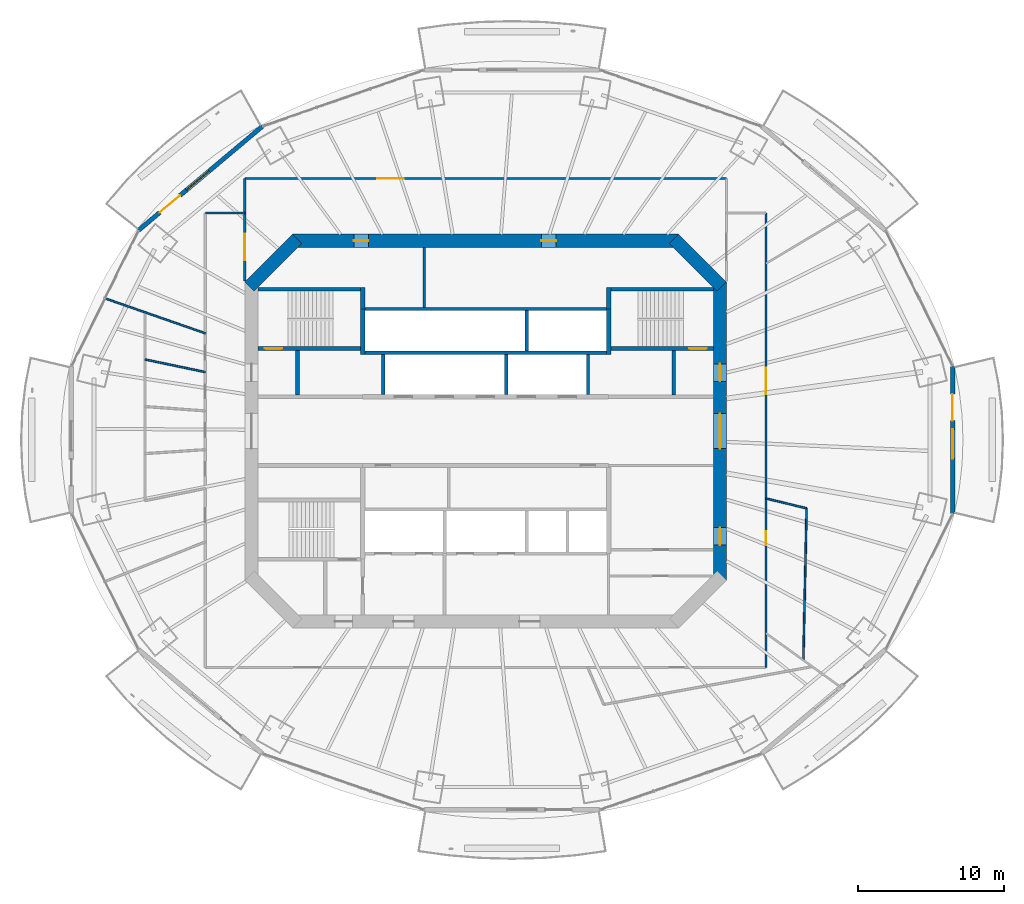
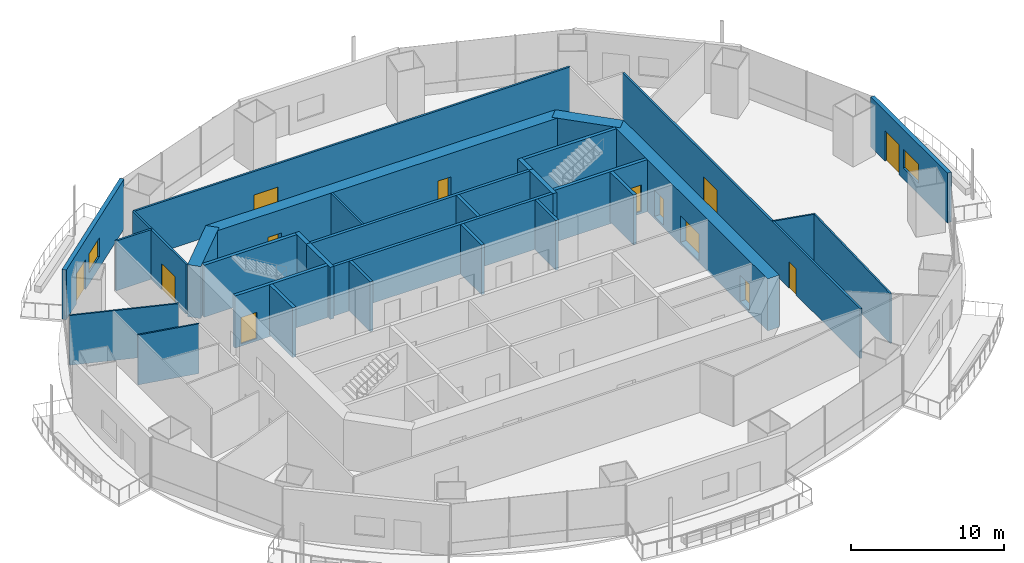
# One storey, part 12 of 19: 31 walls, 13 doors, 2 windows, 15 openings.
"""IFC4 building model written with IfcOpenShell, lengths in metres."""

from ifc_helpers import new_model, si_unit, direction, frame, frame_2d, origin, place, context, subcontext, project, spatial, rectangle, extrude, material, layer, layer_set, type_object, element, fill, save


model = new_model("IFC4")

# Units and contexts
model_context = context("Model", 3, precision=1e-05, world=origin(), true_north=direction((0.0, 1.0)))
body_context = subcontext(model_context, "Body", "Model", "MODEL_VIEW")
ifc_project = project(units=[si_unit("LENGTHUNIT", "METRE"), si_unit("AREAUNIT", "SQUARE_METRE"), si_unit("VOLUMEUNIT", "CUBIC_METRE"), si_unit("PLANEANGLEUNIT", "RADIAN"), si_unit("MASSUNIT", "GRAM", prefix="KILO")], contexts=[model_context])

# Site, building, storey
site_placement = place(None, origin())
site = spatial("IfcSite", under=ifc_project, at=site_placement, CompositionType="ELEMENT")
building_placement = place(site_placement, origin())
building = spatial("IfcBuilding", under=site, at=building_placement, Name="Marenthal Gate Tower", CompositionType="ELEMENT")
storey_placement = place(building_placement, frame((0.0, 0.0, 227.449951171875)))
storey = spatial("IfcBuildingStorey", under=building, at=storey_placement, Name="L50", CompositionType="ELEMENT", Elevation=227.449951171875)

# Wall, openings, doors
ifc_material_1 = material(Name="Concrete 60 MPa", Category="concrete")
ifc_layer_1 = layer(ifc_material_1, 0.89990234375)
ifc_layer_set_1 = layer_set([ifc_layer_1], Name="Core shear wall 900")
wall_type_1 = type_object("IfcWallType", Name="Core shear wall 900", PredefinedType="SHEAR", material=ifc_layer_set_1)
wall_1_placement = place(storey_placement, frame((16.0, -10.186279296875, -0.179931640625), z_axis=(0.0, 0.0, 1.0), x_axis=(0.0, 1.0, 0.0)))
wall_1 = element("IfcWall", 1, at=wall_1_placement, inside=storey, type_object=wall_type_1, Name="Core wall 02", PredefinedType="SHEAR", context=body_context, shape_type="SweptSolid", body=[
    extrude(rectangle(XDim=20.37255859375, YDim=0.89990234375, at=frame_2d((10.186279296875, 0.0))), origin(), (0.0, 0.0, 1.0), 4.14990234375),
])
opening_1_placement = place(wall_1_placement, frame((8.986328125, 0.0, 0.179931640625)))
opening_1 = element("IfcOpeningElement", 2, at=opening_1_placement, cuts=wall_1, Name="Opening D003.02", PredefinedType="OPENING", context=body_context, shape_type="SweptSolid", body=[
    extrude(rectangle(XDim=2.39990234375, YDim=2.10009765625, at=frame_2d((1.199951171875, 1.050048828125))), frame((0.0, 0.4599609375, 0.0), z_axis=(0.0, -1.0, 0.0), x_axis=(1.0, 0.0, 0.0)), (0.0, 0.0, 1.0), 0.919921875),
])
opening_2_placement = place(wall_1_placement, frame((13.58642578125, 0.0, 0.179931640625)))
opening_2 = element("IfcOpeningElement", 3, at=opening_2_placement, cuts=wall_1, Name="Opening D001.05", PredefinedType="OPENING", context=body_context, shape_type="SweptSolid", body=[
    extrude(rectangle(XDim=1.199951171875, YDim=2.10009765625, at=frame_2d((0.60009765625, 1.050048828125))), frame((0.0, 0.4599609375, 0.0), z_axis=(0.0, -1.0, 0.0), x_axis=(1.0, 0.0, 0.0)), (0.0, 0.0, 1.0), 0.919921875),
])
opening_3_placement = place(wall_1_placement, frame((2.39990234375, 0.0, 0.179931640625)))
opening_3 = element("IfcOpeningElement", 4, at=opening_3_placement, cuts=wall_1, Name="Opening D006.01", PredefinedType="OPENING", context=body_context, shape_type="SweptSolid", body=[
    extrude(rectangle(XDim=1.199951171875, YDim=2.10009765625, at=frame_2d((0.60009765625, 1.050048828125))), frame((0.0, 0.4599609375, 0.0), z_axis=(0.0, -1.0, 0.0), x_axis=(1.0, 0.0, 0.0)), (0.0, 0.0, 1.0), 0.919921875),
])
ifc_material_2 = material(Name="Steel fire door", Category="steel")
door_type_1 = type_object("IfcDoorType", Name="Double fire door FD 45 2400 x 2100", OperationType="DOUBLE_DOOR_SINGLE_SWING", PredefinedType="DOOR", material=ifc_material_2)
door_1_placement = place(opening_1_placement, origin())
door_1 = element("IfcDoor", 5, at=door_1_placement, inside=storey, type_object=door_type_1, Name="Door D003.02", OperationType="DOUBLE_DOOR_SINGLE_SWING", OverallHeight=2.10009765625, OverallWidth=2.39990234375, PredefinedType="DOOR", context=body_context, shape_type="SweptSolid", body=[
    extrude(rectangle(XDim=2.39990234375, YDim=2.10009765625, at=frame_2d((1.199951171875, 1.050048828125))), frame((0.0, 0.02490234375, 0.0), z_axis=(0.0, -1.0, 0.0), x_axis=(1.0, 0.0, 0.0)), (0.0, 0.0, 1.0), 0.050048828125),
])
fill(opening_1, door_1)
ifc_material_3 = material(Name="Steel fire door", Category="steel")
door_type_2 = type_object("IfcDoorType", Name="Fire door FD 45 1200 x 2100", OperationType="NOTDEFINED", PredefinedType="DOOR", material=ifc_material_3)
door_2_placement = place(opening_3_placement, origin())
door_2 = element("IfcDoor", 6, at=door_2_placement, inside=storey, type_object=door_type_2, Name="Door D006.01", OperationType="SINGLE_SWING_RIGHT", OverallHeight=2.10009765625, OverallWidth=1.199951171875, PredefinedType="DOOR", context=body_context, shape_type="SweptSolid", body=[
    extrude(rectangle(XDim=1.199951171875, YDim=2.10009765625, at=frame_2d((0.60009765625, 1.050048828125))), frame((0.0, 0.02490234375, 0.0), z_axis=(0.0, -1.0, 0.0), x_axis=(1.0, 0.0, 0.0)), (0.0, 0.0, 1.0), 0.050048828125),
])
fill(opening_3, door_2)
ifc_material_4 = material(Name="Steel fire door", Category="steel")
door_type_3 = type_object("IfcDoorType", Name="Fire door FD 90 1200 x 2100", OperationType="NOTDEFINED", PredefinedType="DOOR", material=ifc_material_4)
door_3_placement = place(opening_2_placement, origin())
door_3 = element("IfcDoor", 7, at=door_3_placement, inside=storey, type_object=door_type_3, Name="Door D001.05", OperationType="SINGLE_SWING_RIGHT", OverallHeight=2.10009765625, OverallWidth=1.199951171875, PredefinedType="DOOR", context=body_context, shape_type="SweptSolid", body=[
    extrude(rectangle(XDim=1.199951171875, YDim=2.10009765625, at=frame_2d((0.60009765625, 1.050048828125))), frame((0.0, 0.02490234375, 0.0), z_axis=(0.0, -1.0, 0.0), x_axis=(1.0, 0.0, 0.0)), (0.0, 0.0, 1.0), 0.050048828125),
])
fill(opening_2, door_3)

# Wall
wall_2_placement = place(storey_placement, frame((16.1318359375, 9.8681640625, -0.179931640625), z_axis=(0.0, 0.0, 1.0), x_axis=(-0.707106781187, 0.707106781187, 0.0)))
element("IfcWall", 8, at=wall_2_placement, inside=storey, type_object=wall_type_1, Name="Core wall 03", PredefinedType="SHEAR", context=body_context, shape_type="SweptSolid", body=[
    extrude(rectangle(XDim=4.615478515625, YDim=0.89990234375, at=frame_2d((2.3076171875, 0.0))), origin(), (0.0, 0.0, 1.0), 4.14990234375),
])

# Wall, openings, doors
wall_3_placement = place(storey_placement, frame((13.186279296875, 13.0, -0.179931640625), z_axis=(0.0, 0.0, 1.0), x_axis=(-1.0, 0.0, 0.0)))
wall_3 = element("IfcWall", 9, at=wall_3_placement, inside=storey, type_object=wall_type_1, Name="Core wall 04", PredefinedType="SHEAR", context=body_context, shape_type="SweptSolid", body=[
    extrude(rectangle(XDim=26.37255859375, YDim=0.89990234375, at=frame_2d((13.186279296875, 0.0))), origin(), (0.0, 0.0, 1.0), 4.14990234375),
])
opening_4_placement = place(wall_3_placement, frame((21.193359375, 0.0, 0.179931640625)))
opening_4 = element("IfcOpeningElement", 10, at=opening_4_placement, cuts=wall_3, Name="Opening D005.03", PredefinedType="OPENING", context=body_context, shape_type="SweptSolid", body=[
    extrude(rectangle(XDim=1.0, YDim=2.10009765625, at=frame_2d((0.5, 1.050048828125))), frame((0.0, 0.4599609375, 0.0), z_axis=(0.0, -1.0, 0.0), x_axis=(1.0, 0.0, 0.0)), (0.0, 0.0, 1.0), 0.919921875),
])
opening_5_placement = place(wall_3_placement, frame((8.37939453125, 0.0, 0.179931640625)))
opening_5 = element("IfcOpeningElement", 11, at=opening_5_placement, cuts=wall_3, Name="Opening D005.04", PredefinedType="OPENING", context=body_context, shape_type="SweptSolid", body=[
    extrude(rectangle(XDim=1.0, YDim=2.10009765625, at=frame_2d((0.5, 1.050048828125))), frame((0.0, 0.4599609375, 0.0), z_axis=(0.0, -1.0, 0.0), x_axis=(1.0, 0.0, 0.0)), (0.0, 0.0, 1.0), 0.919921875),
])
ifc_material_5 = material(Name="Steel fire door", Category="steel")
door_type_4 = type_object("IfcDoorType", Name="Fire door FD 45 1000 x 2100", OperationType="NOTDEFINED", PredefinedType="DOOR", material=ifc_material_5)
door_4_placement = place(opening_4_placement, origin())
door_4 = element("IfcDoor", 12, at=door_4_placement, inside=storey, type_object=door_type_4, Name="Door D005.03", OperationType="SINGLE_SWING_RIGHT", OverallHeight=2.10009765625, OverallWidth=1.0, PredefinedType="DOOR", context=body_context, shape_type="SweptSolid", body=[
    extrude(rectangle(XDim=1.0, YDim=2.10009765625, at=frame_2d((0.5, 1.050048828125))), frame((0.0, 0.02490234375, 0.0), z_axis=(0.0, -1.0, 0.0), x_axis=(1.0, 0.0, 0.0)), (0.0, 0.0, 1.0), 0.050048828125),
])
fill(opening_4, door_4)
door_5_placement = place(opening_5_placement, origin())
door_5 = element("IfcDoor", 13, at=door_5_placement, inside=storey, type_object=door_type_4, Name="Door D005.04", OperationType="SINGLE_SWING_RIGHT", OverallHeight=2.10009765625, OverallWidth=1.0, PredefinedType="DOOR", context=body_context, shape_type="SweptSolid", body=[
    extrude(rectangle(XDim=1.0, YDim=2.10009765625, at=frame_2d((0.5, 1.050048828125))), frame((0.0, 0.02490234375, 0.0), z_axis=(0.0, -1.0, 0.0), x_axis=(1.0, 0.0, 0.0)), (0.0, 0.0, 1.0), 0.050048828125),
])
fill(opening_5, door_5)

# Walls
wall_4_placement = place(storey_placement, frame((-12.8681640625, 13.1318359375, -0.179931640625), z_axis=(0.0, 0.0, 1.0), x_axis=(-0.707106781187, -0.707106781187, 0.0)))
element("IfcWall", 14, at=wall_4_placement, inside=storey, type_object=wall_type_1, Name="Core wall 05", PredefinedType="SHEAR", context=body_context, shape_type="SweptSolid", body=[
    extrude(rectangle(XDim=4.615478515625, YDim=0.89990234375, at=frame_2d((2.3076171875, 0.0))), origin(), (0.0, 0.0, 1.0), 4.14990234375),
])
ifc_material_6 = material(Name="Concrete 50 MPa", Category="concrete")
ifc_layer_2 = layer(ifc_material_6, 0.300048828125)
ifc_layer_set_2 = layer_set([ifc_layer_2], Name="Hoistway shear wall 300")
wall_type_2 = type_object("IfcWallType", Name="Hoistway shear wall 300", PredefinedType="SHEAR", material=ifc_layer_set_2)
for number, where, z_axis, x_axis, name in (
    (15, (-8.39990234375, 5.239990234375, -0.179931640625), (0.0, 0.0, 1.0), (0.0, 1.0, 0.0), "Hoistway wall 32"),
    (16, (8.39990234375, 5.239990234375, -0.179931640625), (0.0, 0.0, 1.0), (0.0, 1.0, 0.0), "Hoistway wall 46"),
):
    element("IfcWall", number, at=place(storey_placement, frame(where, z_axis=z_axis, x_axis=x_axis)), inside=storey, type_object=wall_type_2, Name=name, PredefinedType="SHEAR", context=body_context, shape_type="SweptSolid", body=[
        extrude(rectangle(XDim=3.110107421875, YDim=0.300048828125, at=frame_2d((1.55517578125, 0.0))), origin(), (0.0, 0.0, 1.0), 4.14990234375),
    ])
ifc_material_7 = material(Name="Concrete 40 MPa", Category="concrete")
ifc_layer_3 = layer(ifc_material_7, 0.219970703125)
ifc_layer_set_3 = layer_set([ifc_layer_3], Name="Hoistway wall 220")
wall_type_3 = type_object("IfcWallType", Name="Hoistway wall 220", PredefinedType="STANDARD", material=ifc_layer_set_3)
for number, where, z_axis, x_axis, name in (
    (17, (-8.25, 5.35009765625, 0.0), (0.0, 0.0, 1.0), (1.0, 0.0, 0.0), "Hoistway wall 22"),
    (18, (-8.25, 8.35009765625, 0.0), (0.0, 0.0, 1.0), (1.0, 0.0, 0.0), "Hoistway wall 25"),
):
    element("IfcWall", number, at=place(storey_placement, frame(where, z_axis=z_axis, x_axis=x_axis)), inside=storey, type_object=wall_type_3, Name=name, PredefinedType="STANDARD", context=body_context, shape_type="SweptSolid", body=[
        extrude(rectangle(XDim=16.5, YDim=0.219970703125, at=frame_2d((8.25, 0.0))), origin(), (0.0, 0.0, 1.0), 3.969970703125),
    ])
for number, where, z_axis, x_axis, name in (
    (19, (-7.0, 2.5, 0.0), (0.0, 0.0, 1.0), (0.0, 1.0, 0.0), "Hoistway wall 34"),
    (20, (1.39990234375, 2.5, 0.0), (0.0, 0.0, 1.0), (0.0, 1.0, 0.0), "Hoistway wall 39"),
):
    element("IfcWall", number, at=place(storey_placement, frame(where, z_axis=z_axis, x_axis=x_axis)), inside=storey, type_object=wall_type_3, Name=name, PredefinedType="STANDARD", context=body_context, shape_type="SweptSolid", body=[
        extrude(rectangle(XDim=2.739990234375, YDim=0.219970703125, at=frame_2d((1.3701171875, 0.0))), origin(), (0.0, 0.0, 1.0), 3.969970703125),
    ])
wall_5_placement = place(storey_placement, frame((2.800048828125, 5.4599609375, 0.0), z_axis=(0.0, 0.0, 1.0), x_axis=(0.0, 1.0, 0.0)))
element("IfcWall", 21, at=wall_5_placement, inside=storey, type_object=wall_type_3, Name="Hoistway wall 41", PredefinedType="STANDARD", context=body_context, shape_type="SweptSolid", body=[
    extrude(rectangle(XDim=2.780029296875, YDim=0.219970703125, at=frame_2d((1.39013671875, 0.0))), origin(), (0.0, 0.0, 1.0), 3.969970703125),
])
wall_6_placement = place(storey_placement, frame((7.0, 2.5, 0.0), z_axis=(0.0, 0.0, 1.0), x_axis=(0.0, 1.0, 0.0)))
element("IfcWall", 22, at=wall_6_placement, inside=storey, type_object=wall_type_3, Name="Hoistway wall 43", PredefinedType="STANDARD", context=body_context, shape_type="SweptSolid", body=[
    extrude(rectangle(XDim=2.739990234375, YDim=0.219970703125, at=frame_2d((1.3701171875, 0.0))), origin(), (0.0, 0.0, 1.0), 3.969970703125),
])
ifc_material_8 = material(Name="Gypsum board on steel studs", Category="steel")
ifc_layer_4 = layer(ifc_material_8, 0.1201171875)
ifc_layer_set_4 = layer_set([ifc_layer_4], Name="Partition 120")
wall_type_4 = type_object("IfcWallType", Name="Partition 120", PredefinedType="PARTITIONING", material=ifc_layer_set_4)
wall_7_placement = place(storey_placement, frame((-23.264404296875, 4.8974609375, 0.0), z_axis=(0.0, 0.0, 1.0), x_axis=(0.978549784987, -0.20601048105, 0.0)))
element("IfcWall", 23, at=wall_7_placement, inside=storey, type_object=wall_type_4, Name="Partition wall 52", PredefinedType="PARTITIONING", context=body_context, shape_type="SweptSolid", body=[
    extrude(rectangle(XDim=4.20458984375, YDim=0.1201171875, at=frame_2d((2.102294921875, 0.0))), origin(), (0.0, 0.0, 1.0), 3.969970703125),
])
wall_8_placement = place(storey_placement, frame((-19.14990234375, 6.678955078125, 0.0), z_axis=(0.0, 0.0, 1.0), x_axis=(-0.944229354423, 0.329288515205, 0.0)))
element("IfcWall", 24, at=wall_8_placement, inside=storey, type_object=wall_type_4, Name="Partition wall 56", PredefinedType="PARTITIONING", context=body_context, shape_type="SweptSolid", body=[
    extrude(rectangle(XDim=7.26220703125, YDim=0.1201171875, at=frame_2d((3.631103515625, 0.0))), origin(), (0.0, 0.0, 1.0), 3.969970703125),
])
wall_9_placement = place(storey_placement, frame((21.701416015625, -15.646728515625, 0.0), z_axis=(0.0, 0.0, 1.0), x_axis=(0.021402327954, 0.999770943946, 0.0)))
element("IfcWall", 25, at=wall_9_placement, inside=storey, type_object=wall_type_4, Name="Partition wall 68", PredefinedType="PARTITIONING", context=body_context, shape_type="SweptSolid", body=[
    extrude(rectangle(XDim=10.380615234375, YDim=0.1201171875, at=frame_2d((5.1904296875, 0.0))), origin(), (0.0, 0.0, 1.0), 3.969970703125),
])
wall_10_placement = place(storey_placement, frame((21.923583984375, -5.2685546875, 0.0), z_axis=(0.0, 0.0, 1.0), x_axis=(-0.972322007638, 0.233644844719, 0.0)))
element("IfcWall", 26, at=wall_10_placement, inside=storey, type_object=wall_type_4, Name="Partition wall 69", PredefinedType="PARTITIONING", context=body_context, shape_type="SweptSolid", body=[
    extrude(rectangle(XDim=2.8525390625, YDim=0.1201171875, at=frame_2d((1.42626953125, 0.0))), origin(), (0.0, 0.0, 1.0), 3.969970703125),
])
ifc_material_9 = material(Name="Gypsum board on steel studs", Category="steel")
ifc_layer_5 = layer(ifc_material_9, 0.14990234375)
ifc_layer_set_5 = layer_set([ifc_layer_5], Name="Partition 150")
wall_type_5 = type_object("IfcWallType", Name="Partition 150", PredefinedType="PARTITIONING", material=ifc_layer_set_5)
wall_11_placement = place(storey_placement, frame((-4.199951171875, 8.4599609375, 0.0), z_axis=(0.0, 0.0, 1.0), x_axis=(0.0, 1.0, 0.0)))
element("IfcWall", 27, at=wall_11_placement, inside=storey, type_object=wall_type_5, Name="Partition wall 35", PredefinedType="PARTITIONING", context=body_context, shape_type="SweptSolid", body=[
    extrude(rectangle(XDim=4.090087890625, YDim=0.14990234375, at=frame_2d((2.044921875, 0.0))), origin(), (0.0, 0.0, 1.0), 3.969970703125),
])
wall_12_placement = place(storey_placement, frame((-19.14990234375, 14.89990234375, 0.0), z_axis=(0.0, 0.0, 1.0), x_axis=(1.0, 0.0, 0.0)))
element("IfcWall", 28, at=wall_12_placement, inside=storey, type_object=wall_type_5, Name="Partition wall 57", PredefinedType="PARTITIONING", context=body_context, shape_type="SweptSolid", body=[
    extrude(rectangle(XDim=2.699951171875, YDim=0.14990234375, at=frame_2d((1.35009765625, 0.0))), origin(), (0.0, 0.0, 1.0), 3.969970703125),
])

# Wall, opening, door
wall_13_placement = place(storey_placement, frame((-16.449951171875, 10.25, 0.0), z_axis=(0.0, 0.0, 1.0), x_axis=(0.0, 1.0, 0.0)))
wall_13 = element("IfcWall", 29, at=wall_13_placement, inside=storey, type_object=wall_type_5, Name="Partition wall 58", PredefinedType="PARTITIONING", context=body_context, shape_type="SweptSolid", body=[
    extrude(rectangle(XDim=7.010986328125, YDim=0.14990234375, at=frame_2d((3.50537109375, 0.0))), origin(), (0.0, 0.0, 1.0), 3.969970703125),
])
opening_6_placement = place(wall_13_placement, frame((1.425048828125, 0.0, 0.0)))
opening_6 = element("IfcOpeningElement", 30, at=opening_6_placement, cuts=wall_13, Name="Opening D014.04", PredefinedType="OPENING", context=body_context, shape_type="SweptSolid", body=[
    extrude(rectangle(XDim=1.800048828125, YDim=2.10009765625, at=frame_2d((0.89990234375, 1.050048828125))), frame((0.0, 0.0849609375, 0.0), z_axis=(0.0, -1.0, 0.0), x_axis=(1.0, 0.0, 0.0)), (0.0, 0.0, 1.0), 0.169921875),
])
ifc_material_10 = material(Name="Timber door", Category="wood")
door_type_5 = type_object("IfcDoorType", Name="Double door 1800 x 2100", OperationType="DOUBLE_DOOR_SINGLE_SWING", PredefinedType="DOOR", material=ifc_material_10)
door_6_placement = place(opening_6_placement, origin())
door_6 = element("IfcDoor", 31, at=door_6_placement, inside=storey, type_object=door_type_5, Name="Door D014.04", OperationType="DOUBLE_DOOR_SINGLE_SWING", OverallHeight=2.10009765625, OverallWidth=1.800048828125, PredefinedType="DOOR", context=body_context, shape_type="SweptSolid", body=[
    extrude(rectangle(XDim=1.800048828125, YDim=2.10009765625, at=frame_2d((0.89990234375, 1.050048828125))), frame((0.0, 0.02490234375, 0.0), z_axis=(0.0, -1.0, 0.0), x_axis=(1.0, 0.0, 0.0)), (0.0, 0.0, 1.0), 0.050048828125),
])
fill(opening_6, door_6)

wall_14_placement = place(storey_placement, frame((-16.449951171875, 17.260986328125, 0.0), z_axis=(0.0, 0.0, 1.0), x_axis=(1.0, 0.0, 0.0)))
wall_14 = element("IfcWall", 32, at=wall_14_placement, inside=storey, type_object=wall_type_5, Name="Partition wall 59", PredefinedType="PARTITIONING", context=body_context, shape_type="SweptSolid", body=[
    extrude(rectangle(XDim=32.89990234375, YDim=0.14990234375, at=frame_2d((16.449951171875, 0.0))), origin(), (0.0, 0.0, 1.0), 3.969970703125),
])
opening_7_placement = place(wall_14_placement, frame((9.056884765625, 0.0, 0.0)))
opening_7 = element("IfcOpeningElement", 33, at=opening_7_placement, cuts=wall_14, Name="Opening D014.01", PredefinedType="OPENING", context=body_context, shape_type="SweptSolid", body=[
    extrude(rectangle(XDim=1.800048828125, YDim=2.10009765625, at=frame_2d((0.89990234375, 1.050048828125))), frame((0.0, 0.0849609375, 0.0), z_axis=(0.0, -1.0, 0.0), x_axis=(1.0, 0.0, 0.0)), (0.0, 0.0, 1.0), 0.169921875),
])
door_7_placement = place(opening_7_placement, origin())
door_7 = element("IfcDoor", 34, at=door_7_placement, inside=storey, type_object=door_type_5, Name="Door D014.01", OperationType="DOUBLE_DOOR_SINGLE_SWING", OverallHeight=2.10009765625, OverallWidth=1.800048828125, PredefinedType="DOOR", context=body_context, shape_type="SweptSolid", body=[
    extrude(rectangle(XDim=1.800048828125, YDim=2.10009765625, at=frame_2d((0.89990234375, 1.050048828125))), frame((0.0, 0.02490234375, 0.0), z_axis=(0.0, -1.0, 0.0), x_axis=(1.0, 0.0, 0.0)), (0.0, 0.0, 1.0), 0.050048828125),
])
fill(opening_7, door_7)

# Wall, openings, doors
wall_15_placement = place(storey_placement, frame((19.14990234375, 14.89990234375, 0.0), z_axis=(0.0, 0.0, 1.0), x_axis=(0.0, -1.0, 0.0)))
wall_15 = element("IfcWall", 35, at=wall_15_placement, inside=storey, type_object=wall_type_5, Name="Partition wall 67", PredefinedType="PARTITIONING", context=body_context, shape_type="SweptSolid", body=[
    extrude(rectangle(XDim=31.0498046875, YDim=0.14990234375, at=frame_2d((15.52490234375, 0.0))), origin(), (0.0, 0.0, 1.0), 3.969970703125),
])
opening_8_placement = place(wall_15_placement, frame((21.7509765625, 0.0, 0.0)))
opening_8 = element("IfcOpeningElement", 36, at=opening_8_placement, cuts=wall_15, Name="Opening D016.07", PredefinedType="OPENING", context=body_context, shape_type="SweptSolid", body=[
    extrude(rectangle(XDim=0.949951171875, YDim=2.10009765625, at=frame_2d((0.47509765625, 1.050048828125))), frame((0.0, 0.0849609375, 0.0), z_axis=(0.0, -1.0, 0.0), x_axis=(1.0, 0.0, 0.0)), (0.0, 0.0, 1.0), 0.169921875),
])
opening_9_placement = place(wall_15_placement, frame((10.575927734375, 0.0, 0.0)))
opening_9 = element("IfcOpeningElement", 37, at=opening_9_placement, cuts=wall_15, Name="Opening D014.03", PredefinedType="OPENING", context=body_context, shape_type="SweptSolid", body=[
    extrude(rectangle(XDim=1.800048828125, YDim=2.10009765625, at=frame_2d((0.89990234375, 1.050048828125))), frame((0.0, 0.0849609375, 0.0), z_axis=(0.0, -1.0, 0.0), x_axis=(1.0, 0.0, 0.0)), (0.0, 0.0, 1.0), 0.169921875),
])
ifc_material_11 = material(Name="Timber door", Category="wood")
door_type_6 = type_object("IfcDoorType", Name="Door 950 x 2100", OperationType="NOTDEFINED", PredefinedType="DOOR", material=ifc_material_11)
door_8_placement = place(opening_8_placement, origin())
door_8 = element("IfcDoor", 38, at=door_8_placement, inside=storey, type_object=door_type_6, Name="Door D016.07", OperationType="SINGLE_SWING_RIGHT", OverallHeight=2.10009765625, OverallWidth=0.949951171875, PredefinedType="DOOR", context=body_context, shape_type="SweptSolid", body=[
    extrude(rectangle(XDim=0.949951171875, YDim=2.10009765625, at=frame_2d((0.47509765625, 1.050048828125))), frame((0.0, 0.02490234375, 0.0), z_axis=(0.0, -1.0, 0.0), x_axis=(1.0, 0.0, 0.0)), (0.0, 0.0, 1.0), 0.050048828125),
])
fill(opening_8, door_8)
door_9_placement = place(opening_9_placement, origin())
door_9 = element("IfcDoor", 39, at=door_9_placement, inside=storey, type_object=door_type_5, Name="Door D014.03", OperationType="DOUBLE_DOOR_SINGLE_SWING", OverallHeight=2.10009765625, OverallWidth=1.800048828125, PredefinedType="DOOR", context=body_context, shape_type="SweptSolid", body=[
    extrude(rectangle(XDim=1.800048828125, YDim=2.10009765625, at=frame_2d((0.89990234375, 1.050048828125))), frame((0.0, 0.02490234375, 0.0), z_axis=(0.0, -1.0, 0.0), x_axis=(1.0, 0.0, 0.0)), (0.0, 0.0, 1.0), 0.050048828125),
])
fill(opening_9, door_9)

# Walls
ifc_material_12 = material(Name="Concrete 40 MPa", Category="concrete")
ifc_layer_6 = layer(ifc_material_12, 0.25)
ifc_layer_set_6 = layer_set([ifc_layer_6], Name="Stair enclosure wall 250")
wall_type_6 = type_object("IfcWallType", Name="Stair enclosure wall 250", PredefinedType="STANDARD", material=ifc_layer_set_6)
for number, where, z_axis, x_axis, name in (
    (40, (-12.85009765625, 2.47509765625, 0.0), (0.0, 0.0, 1.0), (0.0, 1.0, 0.0), "Stair wall 28"),
    (41, (12.85009765625, 2.47509765625, 0.0), (0.0, 0.0, 1.0), (0.0, 1.0, 0.0), "Stair wall 48"),
):
    element("IfcWall", number, at=place(storey_placement, frame(where, z_axis=z_axis, x_axis=x_axis)), inside=storey, type_object=wall_type_6, Name=name, PredefinedType="STANDARD", context=body_context, shape_type="SweptSolid", body=[
        extrude(rectangle(XDim=3.0498046875, YDim=0.25, at=frame_2d((1.52490234375, 0.0))), origin(), (0.0, 0.0, 1.0), 3.969970703125),
    ])

# Wall, opening, door
ifc_material_13 = material(Name="Concrete 50 MPa", Category="concrete")
ifc_layer_7 = layer(ifc_material_13, 0.25)
ifc_layer_set_7 = layer_set([ifc_layer_7], Name="Stair shear wall 250")
wall_type_7 = type_object("IfcWallType", Name="Stair shear wall 250", PredefinedType="SHEAR", material=ifc_layer_set_7)
wall_16_placement = place(storey_placement, frame((-15.550048828125, 5.64990234375, -0.179931640625), z_axis=(0.0, 0.0, 1.0), x_axis=(1.0, 0.0, 0.0)))
wall_16 = element("IfcWall", 42, at=wall_16_placement, inside=storey, type_object=wall_type_7, Name="Stair wall 23", PredefinedType="SHEAR", context=body_context, shape_type="SweptSolid", body=[
    extrude(rectangle(XDim=7.0, YDim=0.25, at=frame_2d((3.5, 0.0))), origin(), (0.0, 0.0, 1.0), 4.14990234375),
])
opening_10_placement = place(wall_16_placement, frame((0.449951171875, 0.0, 0.179931640625)))
opening_10 = element("IfcOpeningElement", 43, at=opening_10_placement, cuts=wall_16, Name="Opening D001.01", PredefinedType="OPENING", context=body_context, shape_type="SweptSolid", body=[
    extrude(rectangle(XDim=1.199951171875, YDim=2.10009765625, at=frame_2d((0.60009765625, 1.050048828125))), frame((0.0, 0.135009765625, 0.0), z_axis=(0.0, -1.0, 0.0), x_axis=(1.0, 0.0, 0.0)), (0.0, 0.0, 1.0), 0.27001953125),
])
door_10_placement = place(opening_10_placement, origin())
door_10 = element("IfcDoor", 44, at=door_10_placement, inside=storey, type_object=door_type_3, Name="Door D001.01", OperationType="SINGLE_SWING_RIGHT", OverallHeight=2.10009765625, OverallWidth=1.199951171875, PredefinedType="DOOR", context=body_context, shape_type="SweptSolid", body=[
    extrude(rectangle(XDim=1.199951171875, YDim=2.10009765625, at=frame_2d((0.60009765625, 1.050048828125))), frame((0.0, 0.02490234375, 0.0), z_axis=(0.0, -1.0, 0.0), x_axis=(1.0, 0.0, 0.0)), (0.0, 0.0, 1.0), 0.050048828125),
])
fill(opening_10, door_10)

wall_17_placement = place(storey_placement, frame((8.550048828125, 5.64990234375, -0.179931640625), z_axis=(0.0, 0.0, 1.0), x_axis=(1.0, 0.0, 0.0)))
wall_17 = element("IfcWall", 45, at=wall_17_placement, inside=storey, type_object=wall_type_7, Name="Stair wall 24", PredefinedType="SHEAR", context=body_context, shape_type="SweptSolid", body=[
    extrude(rectangle(XDim=7.0, YDim=0.25, at=frame_2d((3.5, 0.0))), origin(), (0.0, 0.0, 1.0), 4.14990234375),
])
opening_11_placement = place(wall_17_placement, frame((5.35009765625, 0.0, 0.179931640625)))
opening_11 = element("IfcOpeningElement", 46, at=opening_11_placement, cuts=wall_17, Name="Opening D001.02", PredefinedType="OPENING", context=body_context, shape_type="SweptSolid", body=[
    extrude(rectangle(XDim=1.199951171875, YDim=2.10009765625, at=frame_2d((0.60009765625, 1.050048828125))), frame((0.0, 0.135009765625, 0.0), z_axis=(0.0, -1.0, 0.0), x_axis=(1.0, 0.0, 0.0)), (0.0, 0.0, 1.0), 0.27001953125),
])
door_11_placement = place(opening_11_placement, origin())
door_11 = element("IfcDoor", 47, at=door_11_placement, inside=storey, type_object=door_type_3, Name="Door D001.02", OperationType="SINGLE_SWING_RIGHT", OverallHeight=2.10009765625, OverallWidth=1.199951171875, PredefinedType="DOOR", context=body_context, shape_type="SweptSolid", body=[
    extrude(rectangle(XDim=1.199951171875, YDim=2.10009765625, at=frame_2d((0.60009765625, 1.050048828125))), frame((0.0, 0.02490234375, 0.0), z_axis=(0.0, -1.0, 0.0), x_axis=(1.0, 0.0, 0.0)), (0.0, 0.0, 1.0), 0.050048828125),
])
fill(opening_11, door_11)

# Walls
for number, where, z_axis, x_axis, name in (
    (48, (-15.550048828125, 9.699951171875, -0.179931640625), (0.0, 0.0, 1.0), (1.0, 0.0, 0.0), "Stair wall 26"),
    (49, (8.550048828125, 9.699951171875, -0.179931640625), (0.0, 0.0, 1.0), (1.0, 0.0, 0.0), "Stair wall 27"),
):
    element("IfcWall", number, at=place(storey_placement, frame(where, z_axis=z_axis, x_axis=x_axis)), inside=storey, type_object=wall_type_7, Name=name, PredefinedType="SHEAR", context=body_context, shape_type="SweptSolid", body=[
        extrude(rectangle(XDim=7.0, YDim=0.25, at=frame_2d((3.5, 0.0))), origin(), (0.0, 0.0, 1.0), 4.14990234375),
    ])
ifc_material_14 = material(Name="Concrete 50 MPa", Category="concrete")
ifc_layer_8 = layer(ifc_material_14, 0.300048828125)
ifc_layer_set_8 = layer_set([ifc_layer_8], Name="Stair shear wall 300")
wall_type_8 = type_object("IfcWallType", Name="Stair shear wall 300", PredefinedType="SHEAR", material=ifc_layer_set_8)
for number, where, z_axis, x_axis, name in (
    (50, (-8.39990234375, 8.35009765625, -0.179931640625), (0.0, 0.0, 1.0), (0.0, 1.0, 0.0), "Stair wall 33"),
    (51, (8.39990234375, 8.35009765625, -0.179931640625), (0.0, 0.0, 1.0), (0.0, 1.0, 0.0), "Stair wall 47"),
):
    element("IfcWall", number, at=place(storey_placement, frame(where, z_axis=z_axis, x_axis=x_axis)), inside=storey, type_object=wall_type_8, Name=name, PredefinedType="SHEAR", context=body_context, shape_type="SweptSolid", body=[
        extrude(rectangle(XDim=1.474853515625, YDim=0.300048828125, at=frame_2d((0.7373046875, 0.0))), origin(), (0.0, 0.0, 1.0), 4.14990234375),
    ])

# Wall, openings, door, window
ifc_material_15 = material(Name="Terracotta cladding on insulated concrete-block backing", Category="masonry")
ifc_layer_9 = layer(ifc_material_15, 0.300048828125)
ifc_layer_set_9 = layer_set([ifc_layer_9], Name="Terracotta facade wall 300")
wall_type_9 = type_object("IfcWallType", Name="Terracotta facade wall 300", PredefinedType="SOLIDWALL", material=ifc_layer_set_9)
wall_18_placement = place(storey_placement, frame((-15.249267578125, 20.82275390625, 0.0), z_axis=(0.0, 0.0, 1.0), x_axis=(-0.765870158107, -0.642995257308, 0.0)))
wall_18 = element("IfcWall", 52, at=wall_18_placement, inside=storey, type_object=wall_type_9, Name="Terracotta facade wall L50 bay 6", PredefinedType="SOLIDWALL", context=body_context, shape_type="SweptSolid", body=[
    extrude(rectangle(XDim=11.05517578125, YDim=0.300048828125, at=frame_2d((5.527587890625, 0.0))), origin(), (0.0, 0.0, 1.0), 3.969970703125),
])
opening_12_placement = place(wall_18_placement, frame((7.355224609375, 0.0, 0.0)))
opening_12 = element("IfcOpeningElement", 53, at=opening_12_placement, cuts=wall_18, Name="Opening BD-L50-06", PredefinedType="OPENING", context=body_context, shape_type="SweptSolid", body=[
    extrude(rectangle(XDim=1.800048828125, YDim=2.39990234375, at=frame_2d((0.89990234375, 1.199951171875))), frame((0.0, 0.16015625, 0.0), z_axis=(0.0, -1.0, 0.0), x_axis=(1.0, 0.0, 0.0)), (0.0, 0.0, 1.0), 0.320068359375),
])
opening_13_placement = place(wall_18_placement, frame((4.755126953125, 0.0, 0.89990234375)))
opening_13 = element("IfcOpeningElement", 54, at=opening_13_placement, cuts=wall_18, Name="Opening WN2-L50-06", PredefinedType="OPENING", context=body_context, shape_type="SweptSolid", body=[
    extrude(rectangle(XDim=2.0, YDim=1.5, at=frame_2d((1.0, 0.75))), frame((0.0, 0.16015625, 0.0), z_axis=(0.0, -1.0, 0.0), x_axis=(1.0, 0.0, 0.0)), (0.0, 0.0, 1.0), 0.320068359375),
])
ifc_material_16 = material(Name="Aluminium and glass", Category="aluminium")
door_type_7 = type_object("IfcDoorType", Name="Balcony door 1800x2400", OperationType="DOUBLE_DOOR_SINGLE_SWING", PredefinedType="DOOR", material=ifc_material_16)
door_12_placement = place(opening_12_placement, origin())
door_12 = element("IfcDoor", 55, at=door_12_placement, inside=storey, type_object=door_type_7, Name="Balcony door L50 bay 6", OperationType="SINGLE_SWING_LEFT", OverallHeight=2.39990234375, OverallWidth=1.800048828125, PredefinedType="DOOR", context=body_context, shape_type="SweptSolid", body=[
    extrude(rectangle(XDim=1.800048828125, YDim=2.39990234375, at=frame_2d((0.89990234375, 1.199951171875))), frame((0.0, 0.02490234375, 0.0), z_axis=(0.0, -1.0, 0.0), x_axis=(1.0, 0.0, 0.0)), (0.0, 0.0, 1.0), 0.050048828125),
])
fill(opening_12, door_12)
ifc_material_17 = material(Name="Aluminium and glass", Category="aluminium")
window_type = type_object("IfcWindowType", Name="Window 2000x1500", PartitioningType="DOUBLE_PANEL_VERTICAL", PredefinedType="WINDOW", material=ifc_material_17)
window_1_placement = place(opening_13_placement, origin())
window_1 = element("IfcWindow", 56, at=window_1_placement, inside=storey, type_object=window_type, Name="Window L50 bay 6", OverallHeight=1.5, OverallWidth=2.0, PartitioningType="SINGLE_PANEL", PredefinedType="WINDOW", context=body_context, shape_type="SweptSolid", body=[
    extrude(rectangle(XDim=2.0, YDim=1.5, at=frame_2d((1.0, 0.75))), frame((0.0, 0.030029296875, 0.0), z_axis=(0.0, -1.0, 0.0), x_axis=(1.0, 0.0, 0.0)), (0.0, 0.0, 1.0), 0.06005859375),
])
fill(opening_13, window_1)

wall_19_placement = place(storey_placement, frame((31.898193359375, -5.62646484375, 0.0), z_axis=(0.0, 0.0, 1.0), x_axis=(0.0, 1.0, 0.0)))
wall_19 = element("IfcWall", 57, at=wall_19_placement, inside=storey, type_object=wall_type_9, Name="Terracotta facade wall L50 bay 16", PredefinedType="SOLIDWALL", context=body_context, shape_type="SweptSolid", body=[
    extrude(rectangle(XDim=10.052978515625, YDim=0.300048828125, at=frame_2d((5.0263671875, 0.0))), origin(), (0.0, 0.0, 1.0), 3.969970703125),
])
opening_14_placement = place(wall_19_placement, frame((6.35302734375, 0.0, 0.0)))
opening_14 = element("IfcOpeningElement", 58, at=opening_14_placement, cuts=wall_19, Name="Opening BD-L50-16", PredefinedType="OPENING", context=body_context, shape_type="SweptSolid", body=[
    extrude(rectangle(XDim=1.800048828125, YDim=2.39990234375, at=frame_2d((0.89990234375, 1.199951171875))), frame((0.0, 0.16015625, 0.0), z_axis=(0.0, -1.0, 0.0), x_axis=(1.0, 0.0, 0.0)), (0.0, 0.0, 1.0), 0.320068359375),
])
opening_15_placement = place(wall_19_placement, frame((3.7529296875, 0.0, 0.89990234375)))
opening_15 = element("IfcOpeningElement", 59, at=opening_15_placement, cuts=wall_19, Name="Opening WN2-L50-16", PredefinedType="OPENING", context=body_context, shape_type="SweptSolid", body=[
    extrude(rectangle(XDim=2.0, YDim=1.5, at=frame_2d((1.0, 0.75))), frame((0.0, 0.16015625, 0.0), z_axis=(0.0, -1.0, 0.0), x_axis=(1.0, 0.0, 0.0)), (0.0, 0.0, 1.0), 0.320068359375),
])
door_13_placement = place(opening_14_placement, origin())
door_13 = element("IfcDoor", 60, at=door_13_placement, inside=storey, type_object=door_type_7, Name="Balcony door L50 bay 16", OperationType="SINGLE_SWING_LEFT", OverallHeight=2.39990234375, OverallWidth=1.800048828125, PredefinedType="DOOR", context=body_context, shape_type="SweptSolid", body=[
    extrude(rectangle(XDim=1.800048828125, YDim=2.39990234375, at=frame_2d((0.89990234375, 1.199951171875))), frame((0.0, 0.02490234375, 0.0), z_axis=(0.0, -1.0, 0.0), x_axis=(1.0, 0.0, 0.0)), (0.0, 0.0, 1.0), 0.050048828125),
])
fill(opening_14, door_13)
window_2_placement = place(opening_15_placement, origin())
window_2 = element("IfcWindow", 61, at=window_2_placement, inside=storey, type_object=window_type, Name="Window L50 bay 16", OverallHeight=1.5, OverallWidth=2.0, PartitioningType="SINGLE_PANEL", PredefinedType="WINDOW", context=body_context, shape_type="SweptSolid", body=[
    extrude(rectangle(XDim=2.0, YDim=1.5, at=frame_2d((1.0, 0.75))), frame((0.0, 0.030029296875, 0.0), z_axis=(0.0, -1.0, 0.0), x_axis=(1.0, 0.0, 0.0)), (0.0, 0.0, 1.0), 0.06005859375),
])
fill(opening_15, window_2)

save(model, "model.ifc")
